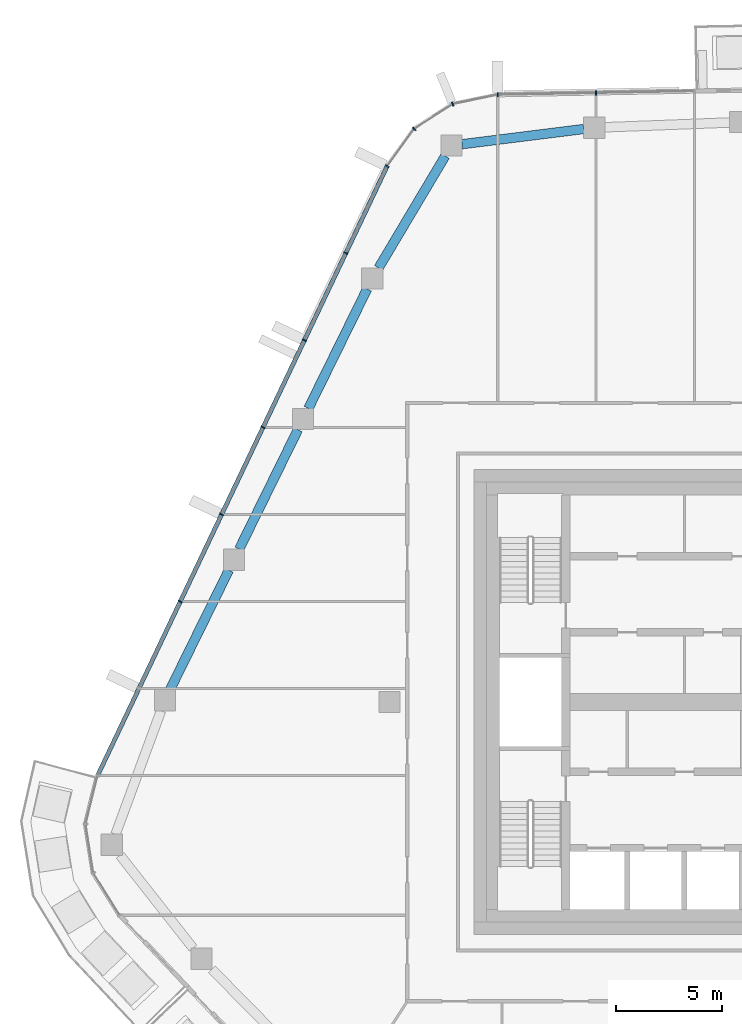
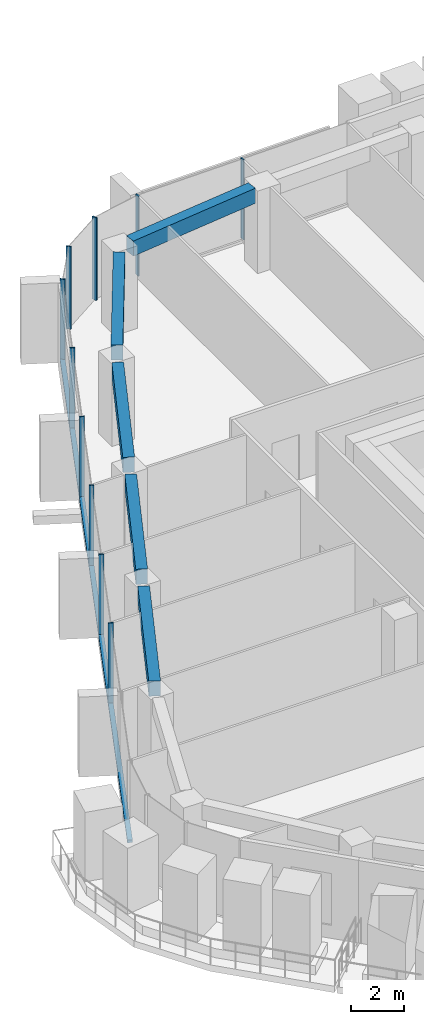
# One storey, part 6 of 24: 11 members, 5 beams, 3 elements without a shape of their own.
"""IFC4 building model written with IfcOpenShell, lengths in metres."""

from ifc_helpers import new_model, si_unit, direction, frame, origin, origin_2d, place, context, subcontext, project, spatial, rectangle, extrude, material, layer, layer_set, material_profile, profile_set, type_object, element, aggregate, save


model = new_model("IFC4")

# Units and contexts
model_context = context("Model", 3, precision=1e-05, world=origin(), true_north=direction((0.0, 1.0)))
body_context = subcontext(model_context, "Body", "Model", "MODEL_VIEW")
ifc_project = project(units=[si_unit("LENGTHUNIT", "METRE"), si_unit("AREAUNIT", "SQUARE_METRE"), si_unit("VOLUMEUNIT", "CUBIC_METRE"), si_unit("PLANEANGLEUNIT", "RADIAN"), si_unit("MASSUNIT", "GRAM", prefix="KILO")], contexts=[model_context])

# Site, building, storey
site_placement = place(None, origin())
site = spatial("IfcSite", under=ifc_project, at=site_placement, CompositionType="ELEMENT")
building_placement = place(site_placement, origin())
building = spatial("IfcBuilding", under=site, at=building_placement, Name="Dongbaek Canopy Tower", CompositionType="ELEMENT")
storey_placement = place(building_placement, frame((0.0, 0.0, 302.60009765625)))
storey = spatial("IfcBuildingStorey", under=building, at=storey_placement, Name="L64", CompositionType="ELEMENT", Elevation=302.60009765625)

# Curtain wall, members
ifc_material_1 = material(Name="Aluminium 6063-T6 pale anodised", Category="aluminium")
ifc_layer = layer(ifc_material_1, 0.199951171875)
ifc_layer_set = layer_set([ifc_layer], Name="CW-1 unitised tower curtain wall")
curtain_wall_type = type_object("IfcCurtainWallType", Name="CW-1 unitised tower curtain wall", PredefinedType="NOTDEFINED", material=ifc_layer_set)
curtain_wall_1_placement = place(storey_placement, origin())
curtain_wall_1 = element("IfcCurtainWall", 1, at=curtain_wall_1_placement, inside=storey, type_object=curtain_wall_type, Name="CW-1 curtain wall F1.1", PredefinedType="NOTDEFINED")
ifc_material_2 = material(Name="Aluminium 6063-T6 pale anodised", Category="aluminium")
ifc_material_profile_1 = material_profile(ifc_material_2, rectangle(XDim=0.199951171875, YDim=0.06005859375, at=origin_2d()), Name="CW-1 mullion 60 x 200")
ifc_profile_set_1 = profile_set([ifc_material_profile_1], Name="Aluminium 6063-T6 pale anodised")
member_type_1 = type_object("IfcMemberType", Name="CW-1 mullion 60 x 200", PredefinedType="MULLION", material=ifc_profile_set_1)
member_1_placement = place(storey_placement, frame((-8.229736328125, 28.808837890625, 0.119873046875), z_axis=(0.0, 0.0, 1.0), x_axis=(-0.018905076744, 0.999821283067, 0.0)))
member_1 = element("IfcMember", 2, at=member_1_placement, type_object=member_type_1, Name="CW-1 mullion F1.1.2", PredefinedType="MULLION", context=body_context, shape_type="SweptSolid", body=[
    extrude(rectangle(XDim=0.199951171875, YDim=0.06005859375, at=origin_2d()), origin(), (0.0, 0.0, 1.0), 3.699951171875),
])
member_2_placement = place(storey_placement, frame((-12.87548828125, 28.720947265625, 0.119873046875), z_axis=(0.0, 0.0, 1.0), x_axis=(-0.018905076744, 0.999821283067, 0.0)))
member_2 = element("IfcMember", 3, at=member_2_placement, type_object=member_type_1, Name="CW-1 mullion F1.1.3", PredefinedType="MULLION", context=body_context, shape_type="SweptSolid", body=[
    extrude(rectangle(XDim=0.199951171875, YDim=0.06005859375, at=origin_2d()), origin(), (0.0, 0.0, 1.0), 3.699951171875),
])
aggregate(curtain_wall_1, [member_1, member_2])

curtain_wall_2_placement = place(storey_placement, origin())
curtain_wall_2 = element("IfcCurtainWall", 4, at=curtain_wall_2_placement, inside=storey, type_object=curtain_wall_type, Name="CW-1 curtain wall K2.1", PredefinedType="NOTDEFINED")
member_3_placement = place(storey_placement, frame((-15.006591796875, 28.28076171875, 0.0), z_axis=(0.0, 0.0, 1.0), x_axis=(-0.378666313952, 0.92553326395, 0.0)))
member_3 = element("IfcMember", 5, at=member_3_placement, type_object=member_type_1, Name="CW-1 mullion K2.1.2", PredefinedType="MULLION", context=body_context, shape_type="SweptSolid", body=[
    extrude(rectangle(XDim=0.199951171875, YDim=0.06005859375, at=origin_2d()), origin(), (0.0, 0.0, 1.0), 3.81982421875),
])
member_4_placement = place(storey_placement, frame((-16.8271484375, 27.10595703125, 0.0), z_axis=(0.0, 0.0, 1.0), x_axis=(-0.687327722008, 0.726347439288, 0.0)))
member_4 = element("IfcMember", 6, at=member_4_placement, type_object=member_type_1, Name="CW-1 mullion K2.1.3", PredefinedType="MULLION", context=body_context, shape_type="SweptSolid", body=[
    extrude(rectangle(XDim=0.199951171875, YDim=0.06005859375, at=origin_2d()), origin(), (0.0, 0.0, 1.0), 3.81982421875),
])
member_5_placement = place(storey_placement, frame((-18.106201171875, 25.34521484375, 0.0), z_axis=(0.0, 0.0, 1.0), x_axis=(-0.809046439446, 0.587744722494, 0.0)))
member_5 = element("IfcMember", 7, at=member_5_placement, type_object=member_type_1, Name="CW-1 mullion K2.1.4", PredefinedType="MULLION", context=body_context, shape_type="SweptSolid", body=[
    extrude(rectangle(XDim=0.199951171875, YDim=0.06005859375, at=origin_2d()), origin(), (0.0, 0.0, 1.0), 3.81982421875),
])
aggregate(curtain_wall_2, [member_3, member_4, member_5])

curtain_wall_3_placement = place(storey_placement, origin())
curtain_wall_3 = element("IfcCurtainWall", 8, at=curtain_wall_3_placement, inside=storey, type_object=curtain_wall_type, Name="CW-1 curtain wall F2.1", PredefinedType="NOTDEFINED")
member_6_placement = place(storey_placement, frame((-20.0595703125, 21.23388671875, 0.119873046875), z_axis=(0.0, 0.0, 1.0), x_axis=(-0.903236413866, 0.429143310174, 0.0)))
member_6 = element("IfcMember", 9, at=member_6_placement, type_object=member_type_1, Name="CW-1 mullion F2.1.2", PredefinedType="MULLION", context=body_context, shape_type="SweptSolid", body=[
    extrude(rectangle(XDim=0.199951171875, YDim=0.06005859375, at=origin_2d()), origin(), (0.0, 0.0, 1.0), 3.699951171875),
])
member_7_placement = place(storey_placement, frame((-22.016845703125, 17.1142578125, 0.119873046875), z_axis=(0.0, 0.0, 1.0), x_axis=(-0.903236413866, 0.429143310174, 0.0)))
member_7 = element("IfcMember", 10, at=member_7_placement, type_object=member_type_1, Name="CW-1 mullion F2.1.3", PredefinedType="MULLION", context=body_context, shape_type="SweptSolid", body=[
    extrude(rectangle(XDim=0.199951171875, YDim=0.06005859375, at=origin_2d()), origin(), (0.0, 0.0, 1.0), 3.699951171875),
])
member_8_placement = place(storey_placement, frame((-23.974365234375, 12.99462890625, 0.119873046875), z_axis=(0.0, 0.0, 1.0), x_axis=(-0.903236413866, 0.429143310174, 0.0)))
member_8 = element("IfcMember", 11, at=member_8_placement, type_object=member_type_1, Name="CW-1 mullion F2.1.4", PredefinedType="MULLION", context=body_context, shape_type="SweptSolid", body=[
    extrude(rectangle(XDim=0.199951171875, YDim=0.06005859375, at=origin_2d()), origin(), (0.0, 0.0, 1.0), 3.699951171875),
])
member_9_placement = place(storey_placement, frame((-25.931640625, 8.875, 0.119873046875), z_axis=(0.0, 0.0, 1.0), x_axis=(-0.903236413866, 0.429143310174, 0.0)))
member_9 = element("IfcMember", 12, at=member_9_placement, type_object=member_type_1, Name="CW-1 mullion F2.1.5", PredefinedType="MULLION", context=body_context, shape_type="SweptSolid", body=[
    extrude(rectangle(XDim=0.199951171875, YDim=0.06005859375, at=origin_2d()), origin(), (0.0, 0.0, 1.0), 3.699951171875),
])
member_10_placement = place(storey_placement, frame((-27.888916015625, 4.755126953125, 0.119873046875), z_axis=(0.0, 0.0, 1.0), x_axis=(-0.903236413866, 0.429143310174, 0.0)))
member_10 = element("IfcMember", 13, at=member_10_placement, type_object=member_type_1, Name="CW-1 mullion F2.1.6", PredefinedType="MULLION", context=body_context, shape_type="SweptSolid", body=[
    extrude(rectangle(XDim=0.199951171875, YDim=0.06005859375, at=origin_2d()), origin(), (0.0, 0.0, 1.0), 3.699951171875),
])
ifc_material_3 = material(Name="Aluminium 6063-T6 pale anodised", Category="aluminium")
ifc_material_profile_2 = material_profile(ifc_material_3, rectangle(XDim=0.199951171875, YDim=0.1201171875, at=origin_2d()), Name="CW-1 transom 120 x 200")
ifc_profile_set_2 = profile_set([ifc_material_profile_2], Name="Aluminium 6063-T6 pale anodised")
member_type_2 = type_object("IfcMemberType", Name="CW-1 transom 120 x 200", PredefinedType="USERDEFINED", material=ifc_profile_set_2)
member_11_placement = place(storey_placement, frame((-18.106201171875, 25.34521484375, 0.059814453125), z_axis=(-0.42914546134, -0.903235391806, 0.0), x_axis=(0.903235391806, -0.42914546134, 0.0)))
member_11 = element("IfcMember", 14, at=member_11_placement, type_object=member_type_2, Name="CW-1 transom F2.1.1", ObjectType="TRANSOM", PredefinedType="USERDEFINED", context=body_context, shape_type="SweptSolid", body=[
    extrude(rectangle(XDim=0.199951171875, YDim=0.1201171875, at=origin_2d()), origin(), (0.0, 0.0, 1.0), 31.907958984375),
])
aggregate(curtain_wall_3, [member_6, member_7, member_8, member_9, member_10, member_11])

# Beams
ifc_material_4 = material(Name="Concrete C60", Category="concrete")
ifc_material_profile_3 = material_profile(ifc_material_4, rectangle(XDim=0.449951171875, YDim=0.699951171875, at=origin_2d()), Name="RC EDGE BEAM 450x700 C60")
ifc_profile_set_3 = profile_set([ifc_material_profile_3], Name="Concrete C60")
beam_type = type_object("IfcBeamType", Name="RC EDGE BEAM 450x700 C60", PredefinedType="BEAM", material=ifc_profile_set_3)
for number, where, z_axis, x_axis, name in (
    (15, (-28.37109375, 0.5859375, 3.469970703125), (0.441293546446, 0.897362806152, 0.0), (-0.897362806152, 0.441293546446, 0.0), "EDGEBEAM:L64:09"),
    (16, (-25.10107421875, 7.235107421875, 3.469970703125), (0.441433810223, 0.897293815421, 0.0), (-0.897293815421, 0.441433810223, 0.0), "EDGEBEAM:L64:10"),
):
    element("IfcBeam", number, at=place(storey_placement, frame(where, z_axis=z_axis, x_axis=x_axis)), inside=storey, type_object=beam_type, Name=name, PredefinedType="BEAM", context=body_context, shape_type="SweptSolid", body=[
        extrude(rectangle(XDim=0.449951171875, YDim=0.699951171875, at=origin_2d()), origin(), (0.0, 0.0, 1.0), 6.29541015625),
    ])
beam_1_placement = place(storey_placement, frame((-21.830078125, 13.884033203125, 3.469970703125), z_axis=(0.441370345445, 0.897325034846, 0.0), x_axis=(-0.897325034846, 0.441370345445, 0.0)))
element("IfcBeam", 17, at=beam_1_placement, inside=storey, type_object=beam_type, Name="EDGEBEAM:L64:11", PredefinedType="BEAM", context=body_context, shape_type="SweptSolid", body=[
    extrude(rectangle(XDim=0.449951171875, YDim=0.699951171875, at=origin_2d()), origin(), (0.0, 0.0, 1.0), 6.294189453125),
])
beam_2_placement = place(storey_placement, frame((-18.50830078125, 20.531982421875, 3.469970703125), z_axis=(0.511535459107, 0.859262168419, 0.0), x_axis=(-0.859262168419, 0.511535459107, 0.0)))
element("IfcBeam", 18, at=beam_2_placement, inside=storey, type_object=beam_type, Name="EDGEBEAM:L64:12", PredefinedType="BEAM", context=body_context, shape_type="SweptSolid", body=[
    extrude(rectangle(XDim=0.449951171875, YDim=0.699951171875, at=origin_2d()), origin(), (0.0, 0.0, 1.0), 6.1552734375),
])
beam_3_placement = place(storey_placement, frame((-14.56201171875, 26.38330078125, 3.469970703125), z_axis=(0.992296006086, 0.123889613389, 0.0), x_axis=(-0.123889613389, 0.992296006086, 0.0)))
element("IfcBeam", 19, at=beam_3_placement, inside=storey, type_object=beam_type, Name="EDGEBEAM:L64:13", PredefinedType="BEAM", context=body_context, shape_type="SweptSolid", body=[
    extrude(rectangle(XDim=0.449951171875, YDim=0.699951171875, at=origin_2d()), origin(), (0.0, 0.0, 1.0), 5.797607421875),
])

save(model, "model.ifc")
